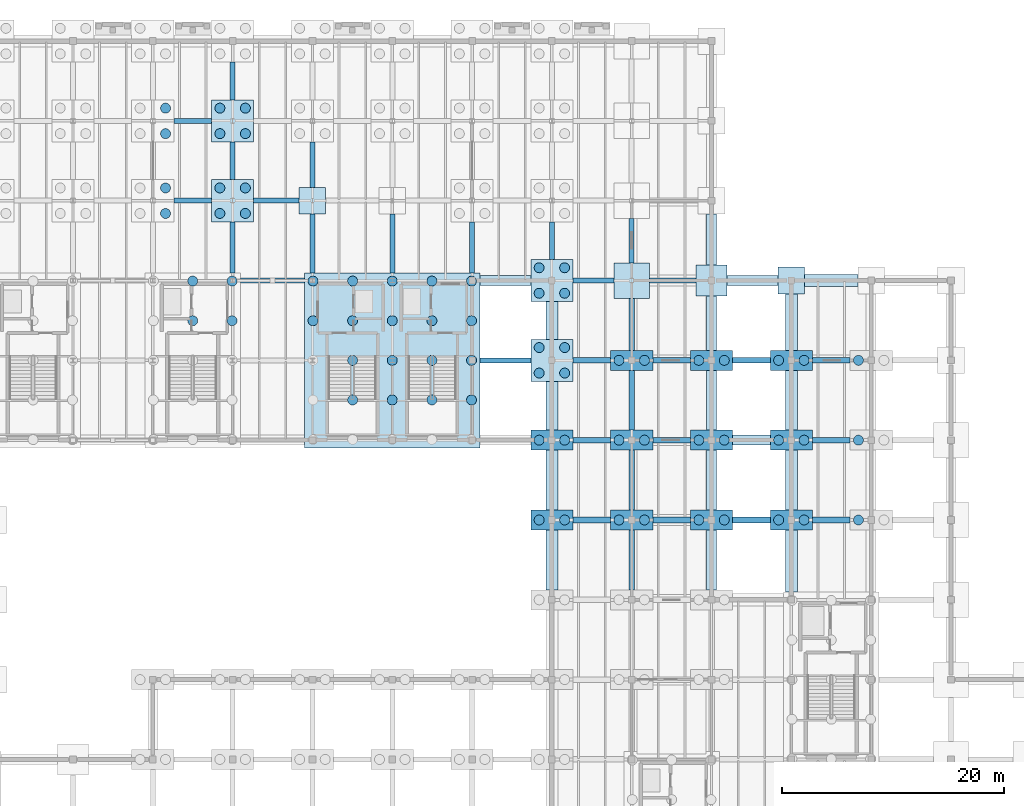
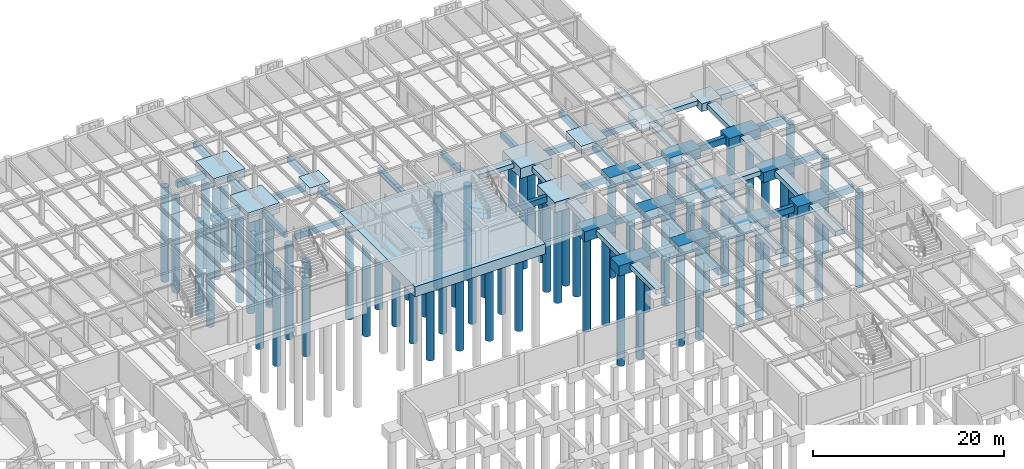
# One storey, part 8 of 46: 68 footings, 67 piles.
"""IFC4 building model written with IfcOpenShell, lengths in metres."""

from ifc_helpers import new_model, si_unit, direction, frame, origin, origin_2d, place, context, subcontext, project, spatial, rectangle, circle, extrude, material, material_profile, profile_set, type_object, element, save


model = new_model("IFC4")

# Units and contexts
model_context = context("Model", 3, precision=1e-05, world=origin(), true_north=direction((0.0, 1.0)))
body_context = subcontext(model_context, "Body", "Model", "MODEL_VIEW")
ifc_project = project(units=[si_unit("LENGTHUNIT", "METRE"), si_unit("AREAUNIT", "SQUARE_METRE"), si_unit("VOLUMEUNIT", "CUBIC_METRE"), si_unit("PLANEANGLEUNIT", "RADIAN"), si_unit("MASSUNIT", "GRAM", prefix="KILO")], contexts=[model_context])

# Site, building, storey
site_placement = place(None, origin())
site = spatial("IfcSite", under=ifc_project, at=site_placement, CompositionType="ELEMENT")
building_placement = place(site_placement, origin())
building = spatial("IfcBuilding", under=site, at=building_placement, Name="Sillqori Civic Hall", CompositionType="ELEMENT")
storey_placement = place(building_placement, frame((0.0, 0.0, -4.199951171875)))
storey = spatial("IfcBuildingStorey", under=building, at=storey_placement, Name="B01", CompositionType="ELEMENT", Elevation=-4.199951171875)

# Footings
ifc_material = material(Name="Concrete C35/45 (H35)", Category="concrete")
footing_type_1 = type_object("IfcFootingType", Name="FB-450X750", PredefinedType="FOOTING_BEAM", material=ifc_material)
for number, where, z_axis, x_axis, name in (
    (1, (68.39990234375, 100.800048828125, -0.969970703125), (0.0, 0.0, 1.0), (1.0, 0.0, 0.0), "Seismic tie beam X 9-14"),
    (2, (68.39990234375, 108.0, -0.969970703125), (0.0, 0.0, 1.0), (1.0, 0.0, 0.0), "Seismic tie beam X 9-15"),
):
    element("IfcFooting", number, at=place(storey_placement, frame(where, z_axis=z_axis, x_axis=x_axis)), inside=storey, type_object=footing_type_1, Name=name, PredefinedType="FOOTING_BEAM", context=body_context, shape_type="SweptSolid", body=[
        extrude(rectangle(XDim=3.39990234375, YDim=0.449951171875, at=origin_2d()), origin(), (0.0, 0.0, 1.0), 0.75),
    ])
footing_1_placement = place(storey_placement, frame((75.60009765625, 93.60009765625, -0.969970703125), z_axis=(0.0, 0.0, 1.0), x_axis=(1.0, 0.0, 0.0)))
element("IfcFooting", 3, at=footing_1_placement, inside=storey, type_object=footing_type_1, Name="Seismic tie beam X 10-13", PredefinedType="FOOTING_BEAM", context=body_context, shape_type="SweptSolid", body=[
    extrude(rectangle(XDim=5.800048828125, YDim=0.449951171875, at=origin_2d()), origin(), (0.0, 0.0, 1.0), 0.75),
])
footing_2_placement = place(storey_placement, frame((72.0, 96.60009765625, -0.969970703125), z_axis=(0.0, 0.0, 1.0), x_axis=(1.0, 0.0, 0.0)))
element("IfcFooting", 4, at=footing_2_placement, inside=storey, type_object=footing_type_1, Name="Seismic tie beam Y 10-13", PredefinedType="FOOTING_BEAM", context=body_context, shape_type="SweptSolid", body=[
    extrude(rectangle(XDim=0.449951171875, YDim=4.60009765625, at=origin_2d()), origin(), (0.0, 0.0, 1.0), 0.75),
])
footing_3_placement = place(storey_placement, frame((75.949951171875, 100.800048828125, -0.969970703125), z_axis=(0.0, 0.0, 1.0), x_axis=(1.0, 0.0, 0.0)))
element("IfcFooting", 5, at=footing_3_placement, inside=storey, type_object=footing_type_1, Name="Seismic tie beam X 10-14", PredefinedType="FOOTING_BEAM", context=body_context, shape_type="SweptSolid", body=[
    extrude(rectangle(XDim=4.10009765625, YDim=0.449951171875, at=origin_2d()), origin(), (0.0, 0.0, 1.0), 0.75),
])
for number, where, z_axis, x_axis, name in (
    (6, (72.0, 104.39990234375, -0.969970703125), (0.0, 0.0, 1.0), (1.0, 0.0, 0.0), "Seismic tie beam Y 10-14"),
    (7, (72.0, 111.60009765625, -0.969970703125), (0.0, 0.0, 1.0), (1.0, 0.0, 0.0), "Seismic tie beam Y 10-15"),
):
    element("IfcFooting", number, at=place(storey_placement, frame(where, z_axis=z_axis, x_axis=x_axis)), inside=storey, type_object=footing_type_1, Name=name, PredefinedType="FOOTING_BEAM", context=body_context, shape_type="SweptSolid", body=[
        extrude(rectangle(XDim=0.449951171875, YDim=3.39990234375, at=origin_2d()), origin(), (0.0, 0.0, 1.0), 0.75),
    ])
footing_4_placement = place(storey_placement, frame((79.199951171875, 96.949951171875, -0.969970703125), z_axis=(0.0, 0.0, 1.0), x_axis=(1.0, 0.0, 0.0)))
element("IfcFooting", 8, at=footing_4_placement, inside=storey, type_object=footing_type_1, Name="Seismic tie beam Y 11-13", PredefinedType="FOOTING_BEAM", context=body_context, shape_type="SweptSolid", body=[
    extrude(rectangle(XDim=0.449951171875, YDim=5.300048828125, at=origin_2d()), origin(), (0.0, 0.0, 1.0), 0.75),
])
footing_5_placement = place(storey_placement, frame((79.199951171875, 104.050048828125, -0.969970703125), z_axis=(0.0, 0.0, 1.0), x_axis=(1.0, 0.0, 0.0)))
element("IfcFooting", 9, at=footing_5_placement, inside=storey, type_object=footing_type_1, Name="Seismic tie beam Y 11-14", PredefinedType="FOOTING_BEAM", context=body_context, shape_type="SweptSolid", body=[
    extrude(rectangle(XDim=0.449951171875, YDim=4.10009765625, at=origin_2d()), origin(), (0.0, 0.0, 1.0), 0.75),
])
footing_6_placement = place(storey_placement, frame((86.39990234375, 96.949951171875, -0.969970703125), z_axis=(0.0, 0.0, 1.0), x_axis=(1.0, 0.0, 0.0)))
element("IfcFooting", 10, at=footing_6_placement, inside=storey, type_object=footing_type_1, Name="Seismic tie beam Y 12-13", PredefinedType="FOOTING_BEAM", context=body_context, shape_type="SweptSolid", body=[
    extrude(rectangle(XDim=0.449951171875, YDim=5.300048828125, at=origin_2d()), origin(), (0.0, 0.0, 1.0), 0.75),
])
footing_7_placement = place(storey_placement, frame((96.60009765625, 86.39990234375, -0.969970703125), z_axis=(0.0, 0.0, 1.0), x_axis=(1.0, 0.0, 0.0)))
element("IfcFooting", 11, at=footing_7_placement, inside=storey, type_object=footing_type_1, Name="Seismic tie beam X 13-12", PredefinedType="FOOTING_BEAM", context=body_context, shape_type="SweptSolid", body=[
    extrude(rectangle(XDim=4.60009765625, YDim=0.449951171875, at=origin_2d()), origin(), (0.0, 0.0, 1.0), 0.75),
])
footing_8_placement = place(storey_placement, frame((93.60009765625, 96.60009765625, -0.969970703125), z_axis=(0.0, 0.0, 1.0), x_axis=(1.0, 0.0, 0.0)))
element("IfcFooting", 12, at=footing_8_placement, inside=storey, type_object=footing_type_1, Name="Seismic tie beam Y 13-13", PredefinedType="FOOTING_BEAM", context=body_context, shape_type="SweptSolid", body=[
    extrude(rectangle(XDim=0.449951171875, YDim=4.60009765625, at=origin_2d()), origin(), (0.0, 0.0, 1.0), 0.75),
])
footing_9_placement = place(storey_placement, frame((104.550048828125, 93.60009765625, -0.969970703125), z_axis=(0.0, 0.0, 1.0), x_axis=(1.0, 0.0, 0.0)))
element("IfcFooting", 13, at=footing_9_placement, inside=storey, type_object=footing_type_1, Name="Seismic tie beam X 14-13", PredefinedType="FOOTING_BEAM", context=body_context, shape_type="SweptSolid", body=[
    extrude(rectangle(XDim=3.699951171875, YDim=0.449951171875, at=origin_2d()), origin(), (0.0, 0.0, 1.0), 0.75),
])
footing_10_placement = place(storey_placement, frame((100.800048828125, 97.199951171875, -0.969970703125), z_axis=(0.0, 0.0, 1.0), x_axis=(1.0, 0.0, 0.0)))
element("IfcFooting", 14, at=footing_10_placement, inside=storey, type_object=footing_type_1, Name="Seismic tie beam Y 14-13", PredefinedType="FOOTING_BEAM", context=body_context, shape_type="SweptSolid", body=[
    extrude(rectangle(XDim=0.449951171875, YDim=3.39990234375, at=origin_2d()), origin(), (0.0, 0.0, 1.0), 0.75),
])
footing_11_placement = place(storey_placement, frame((111.699951171875, 93.60009765625, -0.969970703125), z_axis=(0.0, 0.0, 1.0), x_axis=(1.0, 0.0, 0.0)))
element("IfcFooting", 15, at=footing_11_placement, inside=storey, type_object=footing_type_1, Name="Seismic tie beam X 15-13", PredefinedType="FOOTING_BEAM", context=body_context, shape_type="SweptSolid", body=[
    extrude(rectangle(XDim=4.199951171875, YDim=0.449951171875, at=origin_2d()), origin(), (0.0, 0.0, 1.0), 0.75),
])
footing_12_placement = place(storey_placement, frame((108.0, 97.199951171875, -0.969970703125), z_axis=(0.0, 0.0, 1.0), x_axis=(1.0, 0.0, 0.0)))
element("IfcFooting", 16, at=footing_12_placement, inside=storey, type_object=footing_type_1, Name="Seismic tie beam Y 15-13", PredefinedType="FOOTING_BEAM", context=body_context, shape_type="SweptSolid", body=[
    extrude(rectangle(XDim=0.449951171875, YDim=4.0, at=origin_2d()), origin(), (0.0, 0.0, 1.0), 0.75),
])
footing_type_2 = type_object("IfcFootingType", Name="FB-500X800", PredefinedType="FOOTING_BEAM", material=ifc_material)
for number, where, z_axis, x_axis, name in (
    (17, (104.39990234375, 72.0, -1.02001953125), (0.0, 0.0, 1.0), (1.0, 0.0, 0.0), "Seismic tie beam X 14-10"),
    (18, (104.39990234375, 79.199951171875, -1.02001953125), (0.0, 0.0, 1.0), (1.0, 0.0, 0.0), "Seismic tie beam X 14-11"),
    (19, (104.39990234375, 86.39990234375, -1.02001953125), (0.0, 0.0, 1.0), (1.0, 0.0, 0.0), "Seismic tie beam X 14-12"),
):
    element("IfcFooting", number, at=place(storey_placement, frame(where, z_axis=z_axis, x_axis=x_axis)), inside=storey, type_object=footing_type_2, Name=name, PredefinedType="FOOTING_BEAM", context=body_context, shape_type="SweptSolid", body=[
        extrude(rectangle(XDim=3.39990234375, YDim=0.5, at=origin_2d()), origin(), (0.0, 0.0, 1.0), 0.800048828125),
    ])
footing_13_placement = place(storey_placement, frame((108.0, 68.39990234375, -1.02001953125), z_axis=(0.0, 0.0, 1.0), x_axis=(1.0, 0.0, 0.0)))
element("IfcFooting", 20, at=footing_13_placement, inside=storey, type_object=footing_type_2, Name="Seismic tie beam Y 15-9", PredefinedType="FOOTING_BEAM", context=body_context, shape_type="SweptSolid", body=[
    extrude(rectangle(XDim=0.5, YDim=5.39990234375, at=origin_2d()), origin(), (0.0, 0.0, 1.0), 0.800048828125),
])
footing_14_placement = place(storey_placement, frame((111.60009765625, 72.0, -1.02001953125), z_axis=(0.0, 0.0, 1.0), x_axis=(1.0, 0.0, 0.0)))
element("IfcFooting", 21, at=footing_14_placement, inside=storey, type_object=footing_type_2, Name="Seismic tie beam X 15-10", PredefinedType="FOOTING_BEAM", context=body_context, shape_type="SweptSolid", body=[
    extrude(rectangle(XDim=3.39990234375, YDim=0.5, at=origin_2d()), origin(), (0.0, 0.0, 1.0), 0.800048828125),
])
footing_15_placement = place(storey_placement, frame((108.0, 75.60009765625, -1.02001953125), z_axis=(0.0, 0.0, 1.0), x_axis=(1.0, 0.0, 0.0)))
element("IfcFooting", 22, at=footing_15_placement, inside=storey, type_object=footing_type_2, Name="Seismic tie beam Y 15-10", PredefinedType="FOOTING_BEAM", context=body_context, shape_type="SweptSolid", body=[
    extrude(rectangle(XDim=0.5, YDim=5.39990234375, at=origin_2d()), origin(), (0.0, 0.0, 1.0), 0.800048828125),
])
footing_16_placement = place(storey_placement, frame((111.60009765625, 79.199951171875, -1.02001953125), z_axis=(0.0, 0.0, 1.0), x_axis=(1.0, 0.0, 0.0)))
element("IfcFooting", 23, at=footing_16_placement, inside=storey, type_object=footing_type_2, Name="Seismic tie beam X 15-11", PredefinedType="FOOTING_BEAM", context=body_context, shape_type="SweptSolid", body=[
    extrude(rectangle(XDim=3.39990234375, YDim=0.5, at=origin_2d()), origin(), (0.0, 0.0, 1.0), 0.800048828125),
])
footing_17_placement = place(storey_placement, frame((108.0, 82.800048828125, -1.02001953125), z_axis=(0.0, 0.0, 1.0), x_axis=(1.0, 0.0, 0.0)))
element("IfcFooting", 24, at=footing_17_placement, inside=storey, type_object=footing_type_2, Name="Seismic tie beam Y 15-11", PredefinedType="FOOTING_BEAM", context=body_context, shape_type="SweptSolid", body=[
    extrude(rectangle(XDim=0.5, YDim=5.39990234375, at=origin_2d()), origin(), (0.0, 0.0, 1.0), 0.800048828125),
])
footing_18_placement = place(storey_placement, frame((111.60009765625, 86.39990234375, -1.02001953125), z_axis=(0.0, 0.0, 1.0), x_axis=(1.0, 0.0, 0.0)))
element("IfcFooting", 25, at=footing_18_placement, inside=storey, type_object=footing_type_2, Name="Seismic tie beam X 15-12", PredefinedType="FOOTING_BEAM", context=body_context, shape_type="SweptSolid", body=[
    extrude(rectangle(XDim=3.39990234375, YDim=0.5, at=origin_2d()), origin(), (0.0, 0.0, 1.0), 0.800048828125),
])
footing_19_placement = place(storey_placement, frame((108.0, 89.64990234375, -1.02001953125), z_axis=(0.0, 0.0, 1.0), x_axis=(1.0, 0.0, 0.0)))
element("IfcFooting", 26, at=footing_19_placement, inside=storey, type_object=footing_type_2, Name="Seismic tie beam Y 15-12", PredefinedType="FOOTING_BEAM", context=body_context, shape_type="SweptSolid", body=[
    extrude(rectangle(XDim=0.5, YDim=4.699951171875, at=origin_2d()), origin(), (0.0, 0.0, 1.0), 0.800048828125),
])
for number, where, z_axis, x_axis, name in (
    (27, (118.800048828125, 72.0, -1.02001953125), (0.0, 0.0, 1.0), (1.0, 0.0, 0.0), "Seismic tie beam X 16-10"),
    (28, (118.800048828125, 86.39990234375, -1.02001953125), (0.0, 0.0, 1.0), (1.0, 0.0, 0.0), "Seismic tie beam X 16-12"),
    (29, (126.0, 72.0, -1.02001953125), (0.0, 0.0, 1.0), (1.0, 0.0, 0.0), "Seismic tie beam X 17-10"),
    (30, (126.0, 79.199951171875, -1.02001953125), (0.0, 0.0, 1.0), (1.0, 0.0, 0.0), "Seismic tie beam X 17-11"),
    (31, (126.0, 86.39990234375, -1.02001953125), (0.0, 0.0, 1.0), (1.0, 0.0, 0.0), "Seismic tie beam X 17-12"),
):
    element("IfcFooting", number, at=place(storey_placement, frame(where, z_axis=z_axis, x_axis=x_axis)), inside=storey, type_object=footing_type_2, Name=name, PredefinedType="FOOTING_BEAM", context=body_context, shape_type="SweptSolid", body=[
        extrude(rectangle(XDim=3.39990234375, YDim=0.5, at=origin_2d()), origin(), (0.0, 0.0, 1.0), 0.800048828125),
    ])
footing_type_3 = type_object("IfcFootingType", Name="PC-2P", PredefinedType="PILE_CAP", material=ifc_material)
for number, where, z_axis, x_axis, name in (
    (32, (100.800048828125, 72.0, -1.30029296875), (0.0, 0.0, 1.0), (1.0, 0.0, 0.0), "Pile cap 14-10"),
    (33, (100.800048828125, 79.199951171875, -1.30029296875), (0.0, 0.0, 1.0), (1.0, 0.0, 0.0), "Pile cap 14-11"),
    (34, (108.0, 72.0, -1.30029296875), (0.0, 0.0, 1.0), (1.0, 0.0, 0.0), "Pile cap 15-10"),
    (35, (108.0, 79.199951171875, -1.30029296875), (0.0, 0.0, 1.0), (1.0, 0.0, 0.0), "Pile cap 15-11"),
    (36, (108.0, 86.39990234375, -1.30029296875), (0.0, 0.0, 1.0), (1.0, 0.0, 0.0), "Pile cap 15-12"),
    (37, (115.199951171875, 72.0, -1.30029296875), (0.0, 0.0, 1.0), (1.0, 0.0, 0.0), "Pile cap 16-10"),
    (38, (115.199951171875, 79.199951171875, -1.30029296875), (0.0, 0.0, 1.0), (1.0, 0.0, 0.0), "Pile cap 16-11"),
    (39, (115.199951171875, 86.39990234375, -1.30029296875), (0.0, 0.0, 1.0), (1.0, 0.0, 0.0), "Pile cap 16-12"),
    (40, (122.39990234375, 72.0, -1.30029296875), (0.0, 0.0, 1.0), (1.0, 0.0, 0.0), "Pile cap 17-10"),
    (41, (122.39990234375, 79.199951171875, -1.30029296875), (0.0, 0.0, 1.0), (1.0, 0.0, 0.0), "Pile cap 17-11"),
    (42, (122.39990234375, 86.39990234375, -1.30029296875), (0.0, 0.0, 1.0), (1.0, 0.0, 0.0), "Pile cap 17-12"),
):
    element("IfcFooting", number, at=place(storey_placement, frame(where, z_axis=z_axis, x_axis=x_axis)), inside=storey, type_object=footing_type_3, Name=name, PredefinedType="PILE_CAP", context=body_context, shape_type="SweptSolid", body=[
        extrude(rectangle(XDim=3.800048828125, YDim=1.800048828125, at=origin_2d()), origin(), (0.0, 0.0, 1.0), 1.300048828125),
    ])
footing_type_4 = type_object("IfcFootingType", Name="PC-4P", PredefinedType="PILE_CAP", material=ifc_material)
for number, where, z_axis, x_axis, name in (
    (43, (72.0, 100.800048828125, -1.30029296875), (0.0, 0.0, 1.0), (1.0, 0.0, 0.0), "Pile cap 10-14"),
    (44, (72.0, 108.0, -1.30029296875), (0.0, 0.0, 1.0), (1.0, 0.0, 0.0), "Pile cap 10-15"),
    (45, (100.800048828125, 86.39990234375, -1.30029296875), (0.0, 0.0, 1.0), (1.0, 0.0, 0.0), "Pile cap 14-12"),
    (46, (100.800048828125, 93.60009765625, -1.30029296875), (0.0, 0.0, 1.0), (1.0, 0.0, 0.0), "Pile cap 14-13"),
):
    element("IfcFooting", number, at=place(storey_placement, frame(where, z_axis=z_axis, x_axis=x_axis)), inside=storey, type_object=footing_type_4, Name=name, PredefinedType="PILE_CAP", context=body_context, shape_type="SweptSolid", body=[
        extrude(rectangle(XDim=3.800048828125, YDim=3.800048828125, at=origin_2d()), origin(), (0.0, 0.0, 1.0), 1.300048828125),
    ])
footing_type_5 = type_object("IfcFootingType", Name="PC-TWIN", PredefinedType="PILE_CAP", material=ifc_material)
footing_20_placement = place(storey_placement, frame((86.39990234375, 86.39990234375, -1.30029296875), z_axis=(0.0, 0.0, 1.0), x_axis=(1.0, 0.0, 0.0)))
element("IfcFooting", 47, at=footing_20_placement, inside=storey, type_object=footing_type_5, Name="Combined twin-core mat pile cap C7-C8", PredefinedType="PILE_CAP", context=body_context, shape_type="SweptSolid", body=[
    extrude(rectangle(XDim=15.800048828125, YDim=15.800048828125, at=origin_2d()), origin(), (0.0, 0.0, 1.0), 1.300048828125),
])
footing_type_6 = type_object("IfcFootingType", Name="PF-2400", PredefinedType="PAD_FOOTING", material=ifc_material)
for number, where, z_axis, x_axis, name in (
    (48, (79.199951171875, 100.800048828125, -1.0), (0.0, 0.0, 1.0), (1.0, 0.0, 0.0), "Spread footing 11-14"),
    (49, (122.39990234375, 93.60009765625, -1.0), (0.0, 0.0, 1.0), (1.0, 0.0, 0.0), "Spread footing 17-13"),
):
    element("IfcFooting", number, at=place(storey_placement, frame(where, z_axis=z_axis, x_axis=x_axis)), inside=storey, type_object=footing_type_6, Name=name, PredefinedType="PAD_FOOTING", context=body_context, shape_type="SweptSolid", body=[
        extrude(rectangle(XDim=2.39990234375, YDim=2.39990234375, at=origin_2d()), origin(), (0.0, 0.0, 1.0), 1.0),
    ])
footing_type_7 = type_object("IfcFootingType", Name="PF-2800", PredefinedType="PAD_FOOTING", material=ifc_material)
footing_21_placement = place(storey_placement, frame((115.199951171875, 93.60009765625, -1.0), z_axis=(0.0, 0.0, 1.0), x_axis=(1.0, 0.0, 0.0)))
element("IfcFooting", 50, at=footing_21_placement, inside=storey, type_object=footing_type_7, Name="Spread footing 16-13", PredefinedType="PAD_FOOTING", context=body_context, shape_type="SweptSolid", body=[
    extrude(rectangle(XDim=2.800048828125, YDim=2.800048828125, at=origin_2d()), origin(), (0.0, 0.0, 1.0), 1.0),
])
footing_type_8 = type_object("IfcFootingType", Name="PF-3200", PredefinedType="PAD_FOOTING", material=ifc_material)
footing_22_placement = place(storey_placement, frame((108.0, 93.60009765625, -1.0), z_axis=(0.0, 0.0, 1.0), x_axis=(1.0, 0.0, 0.0)))
element("IfcFooting", 51, at=footing_22_placement, inside=storey, type_object=footing_type_8, Name="Spread footing 15-13", PredefinedType="PAD_FOOTING", context=body_context, shape_type="SweptSolid", body=[
    extrude(rectangle(XDim=3.199951171875, YDim=3.199951171875, at=origin_2d()), origin(), (0.0, 0.0, 1.0), 1.0),
])

# Piles
ifc_material_profile = material_profile(ifc_material, circle(Radius=0.449951171875, at=origin_2d()), Name="BORED PILE 900")
ifc_profile_set = profile_set([ifc_material_profile], Name="Concrete C35/45 (H35)")
pile_type = type_object("IfcPileType", Name="PILE-BORED-900", PredefinedType="BORED", material=ifc_profile_set)
for number, where, z_axis, x_axis, name in (
    (52, (68.39990234375, 89.97509765625, -1.199951171875), (0.0, 0.0, -1.0), (1.0, 0.0, 0.0), "Bored pile FTG-CAP-C6-09"),
    (53, (68.39990234375, 93.550048828125, -1.199951171875), (0.0, 0.0, -1.0), (1.0, 0.0, 0.0), "Bored pile FTG-CAP-C6-10"),
    (54, (71.949951171875, 89.97509765625, -1.199951171875), (0.0, 0.0, -1.0), (1.0, 0.0, 0.0), "Bored pile FTG-CAP-C6-14"),
    (55, (71.949951171875, 93.550048828125, -1.199951171875), (0.0, 0.0, -1.0), (1.0, 0.0, 0.0), "Bored pile FTG-CAP-C6-15"),
    (56, (79.25, 89.97509765625, -1.199951171875), (0.0, 0.0, -1.0), (1.0, 0.0, 0.0), "Bored pile FTG-CAP-C7C8-04"),
    (57, (79.25, 93.550048828125, -1.199951171875), (0.0, 0.0, -1.0), (1.0, 0.0, 0.0), "Bored pile FTG-CAP-C7C8-05"),
    (58, (82.824951171875, 82.824951171875, -1.199951171875), (0.0, 0.0, -1.0), (1.0, 0.0, 0.0), "Bored pile FTG-CAP-C7C8-07"),
    (59, (82.824951171875, 86.39990234375, -1.199951171875), (0.0, 0.0, -1.0), (1.0, 0.0, 0.0), "Bored pile FTG-CAP-C7C8-08"),
    (60, (82.824951171875, 89.97509765625, -1.199951171875), (0.0, 0.0, -1.0), (1.0, 0.0, 0.0), "Bored pile FTG-CAP-C7C8-09"),
    (61, (82.824951171875, 93.550048828125, -1.199951171875), (0.0, 0.0, -1.0), (1.0, 0.0, 0.0), "Bored pile FTG-CAP-C7C8-10"),
    (62, (86.39990234375, 82.824951171875, -1.199951171875), (0.0, 0.0, -1.0), (1.0, 0.0, 0.0), "Bored pile FTG-CAP-C7C8-12"),
    (63, (86.39990234375, 86.39990234375, -1.199951171875), (0.0, 0.0, -1.0), (1.0, 0.0, 0.0), "Bored pile FTG-CAP-C7C8-13"),
    (64, (86.39990234375, 89.97509765625, -1.199951171875), (0.0, 0.0, -1.0), (1.0, 0.0, 0.0), "Bored pile FTG-CAP-C7C8-14"),
    (65, (86.39990234375, 93.550048828125, -1.199951171875), (0.0, 0.0, -1.0), (1.0, 0.0, 0.0), "Bored pile FTG-CAP-C7C8-15"),
    (66, (89.97509765625, 82.824951171875, -1.199951171875), (0.0, 0.0, -1.0), (1.0, 0.0, 0.0), "Bored pile FTG-CAP-C7C8-17"),
    (67, (89.97509765625, 86.39990234375, -1.199951171875), (0.0, 0.0, -1.0), (1.0, 0.0, 0.0), "Bored pile FTG-CAP-C7C8-18"),
    (68, (89.97509765625, 89.97509765625, -1.199951171875), (0.0, 0.0, -1.0), (1.0, 0.0, 0.0), "Bored pile FTG-CAP-C7C8-19"),
    (69, (89.97509765625, 93.550048828125, -1.199951171875), (0.0, 0.0, -1.0), (1.0, 0.0, 0.0), "Bored pile FTG-CAP-C7C8-20"),
    (70, (93.550048828125, 82.824951171875, -1.199951171875), (0.0, 0.0, -1.0), (1.0, 0.0, 0.0), "Bored pile FTG-CAP-C7C8-22"),
    (71, (93.550048828125, 86.39990234375, -1.199951171875), (0.0, 0.0, -1.0), (1.0, 0.0, 0.0), "Bored pile FTG-CAP-C7C8-23"),
    (72, (93.550048828125, 89.97509765625, -1.199951171875), (0.0, 0.0, -1.0), (1.0, 0.0, 0.0), "Bored pile FTG-CAP-C7C8-24"),
    (73, (93.550048828125, 93.550048828125, -1.199951171875), (0.0, 0.0, -1.0), (1.0, 0.0, 0.0), "Bored pile FTG-CAP-C7C8-25"),
    (74, (65.949951171875, 99.64990234375, -1.199951171875), (0.0, 0.0, -1.0), (1.0, 0.0, 0.0), "Bored pile FTG-PC-09-14-03"),
    (75, (65.949951171875, 101.949951171875, -1.199951171875), (0.0, 0.0, -1.0), (1.0, 0.0, 0.0), "Bored pile FTG-PC-09-14-04"),
    (76, (65.949951171875, 106.85009765625, -1.199951171875), (0.0, 0.0, -1.0), (1.0, 0.0, 0.0), "Bored pile FTG-PC-09-15-03"),
    (77, (65.949951171875, 109.14990234375, -1.199951171875), (0.0, 0.0, -1.0), (1.0, 0.0, 0.0), "Bored pile FTG-PC-09-15-04"),
    (78, (70.85009765625, 99.64990234375, -1.199951171875), (0.0, 0.0, -1.0), (1.0, 0.0, 0.0), "Bored pile FTG-PC-10-14-01"),
    (79, (70.85009765625, 101.949951171875, -1.199951171875), (0.0, 0.0, -1.0), (1.0, 0.0, 0.0), "Bored pile FTG-PC-10-14-02"),
    (80, (73.14990234375, 99.64990234375, -1.199951171875), (0.0, 0.0, -1.0), (1.0, 0.0, 0.0), "Bored pile FTG-PC-10-14-03"),
    (81, (73.14990234375, 101.949951171875, -1.199951171875), (0.0, 0.0, -1.0), (1.0, 0.0, 0.0), "Bored pile FTG-PC-10-14-04"),
    (82, (70.85009765625, 106.85009765625, -1.199951171875), (0.0, 0.0, -1.0), (1.0, 0.0, 0.0), "Bored pile FTG-PC-10-15-01"),
    (83, (70.85009765625, 109.14990234375, -1.199951171875), (0.0, 0.0, -1.0), (1.0, 0.0, 0.0), "Bored pile FTG-PC-10-15-02"),
    (84, (73.14990234375, 106.85009765625, -1.199951171875), (0.0, 0.0, -1.0), (1.0, 0.0, 0.0), "Bored pile FTG-PC-10-15-03"),
    (85, (73.14990234375, 109.14990234375, -1.199951171875), (0.0, 0.0, -1.0), (1.0, 0.0, 0.0), "Bored pile FTG-PC-10-15-04"),
    (86, (99.64990234375, 72.0, -1.199951171875), (0.0, 0.0, -1.0), (1.0, 0.0, 0.0), "Bored pile FTG-PC-14-10-01"),
    (87, (101.949951171875, 72.0, -1.199951171875), (0.0, 0.0, -1.0), (1.0, 0.0, 0.0), "Bored pile FTG-PC-14-10-02"),
    (88, (99.64990234375, 79.199951171875, -1.199951171875), (0.0, 0.0, -1.0), (1.0, 0.0, 0.0), "Bored pile FTG-PC-14-11-01"),
    (89, (101.949951171875, 79.199951171875, -1.199951171875), (0.0, 0.0, -1.0), (1.0, 0.0, 0.0), "Bored pile FTG-PC-14-11-02"),
    (90, (99.64990234375, 85.25, -1.199951171875), (0.0, 0.0, -1.0), (1.0, 0.0, 0.0), "Bored pile FTG-PC-14-12-01"),
    (91, (99.64990234375, 87.550048828125, -1.199951171875), (0.0, 0.0, -1.0), (1.0, 0.0, 0.0), "Bored pile FTG-PC-14-12-02"),
    (92, (101.949951171875, 85.25, -1.199951171875), (0.0, 0.0, -1.0), (1.0, 0.0, 0.0), "Bored pile FTG-PC-14-12-03"),
    (93, (101.949951171875, 87.550048828125, -1.199951171875), (0.0, 0.0, -1.0), (1.0, 0.0, 0.0), "Bored pile FTG-PC-14-12-04"),
    (94, (99.64990234375, 92.449951171875, -1.199951171875), (0.0, 0.0, -1.0), (1.0, 0.0, 0.0), "Bored pile FTG-PC-14-13-01"),
    (95, (99.64990234375, 94.75, -1.199951171875), (0.0, 0.0, -1.0), (1.0, 0.0, 0.0), "Bored pile FTG-PC-14-13-02"),
    (96, (101.949951171875, 92.449951171875, -1.199951171875), (0.0, 0.0, -1.0), (1.0, 0.0, 0.0), "Bored pile FTG-PC-14-13-03"),
    (97, (101.949951171875, 94.75, -1.199951171875), (0.0, 0.0, -1.0), (1.0, 0.0, 0.0), "Bored pile FTG-PC-14-13-04"),
    (98, (106.85009765625, 72.0, -1.199951171875), (0.0, 0.0, -1.0), (1.0, 0.0, 0.0), "Bored pile FTG-PC-15-10-01"),
    (99, (109.14990234375, 72.0, -1.199951171875), (0.0, 0.0, -1.0), (1.0, 0.0, 0.0), "Bored pile FTG-PC-15-10-02"),
    (100, (106.85009765625, 79.199951171875, -1.199951171875), (0.0, 0.0, -1.0), (1.0, 0.0, 0.0), "Bored pile FTG-PC-15-11-01"),
    (101, (109.14990234375, 79.199951171875, -1.199951171875), (0.0, 0.0, -1.0), (1.0, 0.0, 0.0), "Bored pile FTG-PC-15-11-02"),
    (102, (106.85009765625, 86.39990234375, -1.199951171875), (0.0, 0.0, -1.0), (1.0, 0.0, 0.0), "Bored pile FTG-PC-15-12-01"),
    (103, (109.14990234375, 86.39990234375, -1.199951171875), (0.0, 0.0, -1.0), (1.0, 0.0, 0.0), "Bored pile FTG-PC-15-12-02"),
    (104, (114.050048828125, 72.0, -1.199951171875), (0.0, 0.0, -1.0), (1.0, 0.0, 0.0), "Bored pile FTG-PC-16-10-01"),
    (105, (116.35009765625, 72.0, -1.199951171875), (0.0, 0.0, -1.0), (1.0, 0.0, 0.0), "Bored pile FTG-PC-16-10-02"),
    (106, (114.050048828125, 79.199951171875, -1.199951171875), (0.0, 0.0, -1.0), (1.0, 0.0, 0.0), "Bored pile FTG-PC-16-11-01"),
    (107, (116.35009765625, 79.199951171875, -1.199951171875), (0.0, 0.0, -1.0), (1.0, 0.0, 0.0), "Bored pile FTG-PC-16-11-02"),
    (108, (114.050048828125, 86.39990234375, -1.199951171875), (0.0, 0.0, -1.0), (1.0, 0.0, 0.0), "Bored pile FTG-PC-16-12-01"),
    (109, (116.35009765625, 86.39990234375, -1.199951171875), (0.0, 0.0, -1.0), (1.0, 0.0, 0.0), "Bored pile FTG-PC-16-12-02"),
    (110, (121.25, 72.0, -1.199951171875), (0.0, 0.0, -1.0), (1.0, 0.0, 0.0), "Bored pile FTG-PC-17-10-01"),
    (111, (123.550048828125, 72.0, -1.199951171875), (0.0, 0.0, -1.0), (1.0, 0.0, 0.0), "Bored pile FTG-PC-17-10-02"),
    (112, (121.25, 79.199951171875, -1.199951171875), (0.0, 0.0, -1.0), (1.0, 0.0, 0.0), "Bored pile FTG-PC-17-11-01"),
    (113, (123.550048828125, 79.199951171875, -1.199951171875), (0.0, 0.0, -1.0), (1.0, 0.0, 0.0), "Bored pile FTG-PC-17-11-02"),
    (114, (121.25, 86.39990234375, -1.199951171875), (0.0, 0.0, -1.0), (1.0, 0.0, 0.0), "Bored pile FTG-PC-17-12-01"),
    (115, (123.550048828125, 86.39990234375, -1.199951171875), (0.0, 0.0, -1.0), (1.0, 0.0, 0.0), "Bored pile FTG-PC-17-12-02"),
    (116, (128.449951171875, 72.0, -1.199951171875), (0.0, 0.0, -1.0), (1.0, 0.0, 0.0), "Bored pile FTG-PC-18-10-01"),
    (117, (128.449951171875, 79.199951171875, -1.199951171875), (0.0, 0.0, -1.0), (1.0, 0.0, 0.0), "Bored pile FTG-PC-18-11-01"),
    (118, (128.449951171875, 86.39990234375, -1.199951171875), (0.0, 0.0, -1.0), (1.0, 0.0, 0.0), "Bored pile FTG-PC-18-12-01"),
):
    element("IfcPile", number, at=place(storey_placement, frame(where, z_axis=z_axis, x_axis=x_axis)), inside=storey, type_object=pile_type, Name=name, PredefinedType="BORED", context=body_context, shape_type="SweptSolid", body=[
        extrude(circle(Radius=0.449951171875, at=origin_2d()), origin(), (0.0, 0.0, 1.0), 12.10009765625),
    ])

# Footings
footing_type_9 = type_object("IfcFootingType", Name="SF-1100X650", PredefinedType="STRIP_FOOTING", material=ifc_material)
for number, where, z_axis, x_axis, name in (
    (119, (100.800048828125, 68.39990234375, -0.8701171875), (0.0, 0.0, 1.0), (1.0, 0.0, 0.0), "Perimeter strip footing W 14-9"),
    (120, (100.800048828125, 75.60009765625, -0.8701171875), (0.0, 0.0, 1.0), (1.0, 0.0, 0.0), "Perimeter strip footing W 14-10"),
):
    element("IfcFooting", number, at=place(storey_placement, frame(where, z_axis=z_axis, x_axis=x_axis)), inside=storey, type_object=footing_type_9, Name=name, PredefinedType="STRIP_FOOTING", context=body_context, shape_type="SweptSolid", body=[
        extrude(rectangle(XDim=1.10009765625, YDim=5.39990234375, at=origin_2d()), origin(), (0.0, 0.0, 1.0), 0.64990234375),
    ])
footing_23_placement = place(storey_placement, frame((100.800048828125, 82.300048828125, -0.8701171875), z_axis=(0.0, 0.0, 1.0), x_axis=(1.0, 0.0, 0.0)))
element("IfcFooting", 121, at=footing_23_placement, inside=storey, type_object=footing_type_9, Name="Perimeter strip footing W 14-11", PredefinedType="STRIP_FOOTING", context=body_context, shape_type="SweptSolid", body=[
    extrude(rectangle(XDim=1.10009765625, YDim=4.39990234375, at=origin_2d()), origin(), (0.0, 0.0, 1.0), 0.64990234375),
])
footing_24_placement = place(storey_placement, frame((100.800048828125, 90.0, -0.8701171875), z_axis=(0.0, 0.0, 1.0), x_axis=(1.0, 0.0, 0.0)))
element("IfcFooting", 122, at=footing_24_placement, inside=storey, type_object=footing_type_9, Name="Perimeter strip footing W 14-12", PredefinedType="STRIP_FOOTING", context=body_context, shape_type="SweptSolid", body=[
    extrude(rectangle(XDim=1.10009765625, YDim=3.39990234375, at=origin_2d()), origin(), (0.0, 0.0, 1.0), 0.64990234375),
])
footing_25_placement = place(storey_placement, frame((122.39990234375, 68.300048828125, -0.8701171875), z_axis=(0.0, 0.0, 1.0), x_axis=(1.0, 0.0, 0.0)))
element("IfcFooting", 123, at=footing_25_placement, inside=storey, type_object=footing_type_9, Name="Perimeter strip footing W 17-9", PredefinedType="STRIP_FOOTING", context=body_context, shape_type="SweptSolid", body=[
    extrude(rectangle(XDim=1.10009765625, YDim=5.60009765625, at=origin_2d()), origin(), (0.0, 0.0, 1.0), 0.64990234375),
])
for number, where, z_axis, x_axis, name in (
    (124, (122.39990234375, 75.60009765625, -0.8701171875), (0.0, 0.0, 1.0), (1.0, 0.0, 0.0), "Perimeter strip footing W 17-10"),
    (125, (122.39990234375, 82.800048828125, -0.8701171875), (0.0, 0.0, 1.0), (1.0, 0.0, 0.0), "Perimeter strip footing W 17-11"),
):
    element("IfcFooting", number, at=place(storey_placement, frame(where, z_axis=z_axis, x_axis=x_axis)), inside=storey, type_object=footing_type_9, Name=name, PredefinedType="STRIP_FOOTING", context=body_context, shape_type="SweptSolid", body=[
        extrude(rectangle(XDim=1.10009765625, YDim=5.39990234375, at=origin_2d()), origin(), (0.0, 0.0, 1.0), 0.64990234375),
    ])
footing_26_placement = place(storey_placement, frame((126.0, 93.60009765625, -0.8701171875), z_axis=(0.0, 0.0, 1.0), x_axis=(1.0, 0.0, 0.0)))
element("IfcFooting", 126, at=footing_26_placement, inside=storey, type_object=footing_type_9, Name="Perimeter strip footing N 17-12", PredefinedType="STRIP_FOOTING", context=body_context, shape_type="SweptSolid", body=[
    extrude(rectangle(XDim=4.800048828125, YDim=1.10009765625, at=origin_2d()), origin(), (0.0, 0.0, 1.0), 0.64990234375),
])
footing_27_placement = place(storey_placement, frame((122.39990234375, 89.85009765625, -0.8701171875), z_axis=(0.0, 0.0, 1.0), x_axis=(1.0, 0.0, 0.0)))
element("IfcFooting", 127, at=footing_27_placement, inside=storey, type_object=footing_type_9, Name="Perimeter strip footing W 17-12", PredefinedType="STRIP_FOOTING", context=body_context, shape_type="SweptSolid", body=[
    extrude(rectangle(XDim=1.10009765625, YDim=5.10009765625, at=origin_2d()), origin(), (0.0, 0.0, 1.0), 0.64990234375),
])
footing_type_10 = type_object("IfcFootingType", Name="SF-900X600", PredefinedType="STRIP_FOOTING", material=ifc_material)
footing_28_placement = place(storey_placement, frame((96.60009765625, 93.60009765625, -0.820068359375), z_axis=(0.0, 0.0, 1.0), x_axis=(1.0, 0.0, 0.0)))
element("IfcFooting", 128, at=footing_28_placement, inside=storey, type_object=footing_type_10, Name="Perimeter strip footing S 13-13", PredefinedType="STRIP_FOOTING", context=body_context, shape_type="SweptSolid", body=[
    extrude(rectangle(XDim=4.60009765625, YDim=0.89990234375, at=origin_2d()), origin(), (0.0, 0.0, 1.0), 0.60009765625),
])
for number, where, z_axis, x_axis, name in (
    (129, (115.199951171875, 68.39990234375, -0.820068359375), (0.0, 0.0, 1.0), (1.0, 0.0, 0.0), "Perimeter strip footing E 15-9"),
    (130, (115.199951171875, 75.60009765625, -0.820068359375), (0.0, 0.0, 1.0), (1.0, 0.0, 0.0), "Perimeter strip footing E 15-10"),
    (131, (115.199951171875, 82.800048828125, -0.820068359375), (0.0, 0.0, 1.0), (1.0, 0.0, 0.0), "Perimeter strip footing E 15-11"),
):
    element("IfcFooting", number, at=place(storey_placement, frame(where, z_axis=z_axis, x_axis=x_axis)), inside=storey, type_object=footing_type_10, Name=name, PredefinedType="STRIP_FOOTING", context=body_context, shape_type="SweptSolid", body=[
        extrude(rectangle(XDim=0.89990234375, YDim=5.39990234375, at=origin_2d()), origin(), (0.0, 0.0, 1.0), 0.60009765625),
    ])
footing_29_placement = place(storey_placement, frame((115.199951171875, 89.75, -0.820068359375), z_axis=(0.0, 0.0, 1.0), x_axis=(1.0, 0.0, 0.0)))
element("IfcFooting", 132, at=footing_29_placement, inside=storey, type_object=footing_type_10, Name="Perimeter strip footing E 15-12", PredefinedType="STRIP_FOOTING", context=body_context, shape_type="SweptSolid", body=[
    extrude(rectangle(XDim=0.89990234375, YDim=4.89990234375, at=origin_2d()), origin(), (0.0, 0.0, 1.0), 0.60009765625),
])
footing_30_placement = place(storey_placement, frame((115.199951171875, 97.300048828125, -0.820068359375), z_axis=(0.0, 0.0, 1.0), x_axis=(1.0, 0.0, 0.0)))
element("IfcFooting", 133, at=footing_30_placement, inside=storey, type_object=footing_type_10, Name="Perimeter strip footing E 15-13", PredefinedType="STRIP_FOOTING", context=body_context, shape_type="SweptSolid", body=[
    extrude(rectangle(XDim=0.89990234375, YDim=4.60009765625, at=origin_2d()), origin(), (0.0, 0.0, 1.0), 0.60009765625),
])
footing_31_placement = place(storey_placement, frame((118.800048828125, 79.199951171875, -0.60009765625), z_axis=(0.0, 0.0, 1.0), x_axis=(1.0, 0.0, 0.0)))
element("IfcFooting", 134, at=footing_31_placement, inside=storey, type_object=footing_type_10, Name="Podium plinth strip footing S 16-11", PredefinedType="STRIP_FOOTING", context=body_context, shape_type="SweptSolid", body=[
    extrude(rectangle(XDim=3.39990234375, YDim=0.89990234375, at=origin_2d()), origin(), (0.0, 0.0, 1.0), 0.60009765625),
])
footing_32_placement = place(storey_placement, frame((118.89990234375, 93.60009765625, -0.60009765625), z_axis=(0.0, 0.0, 1.0), x_axis=(1.0, 0.0, 0.0)))
element("IfcFooting", 135, at=footing_32_placement, inside=storey, type_object=footing_type_10, Name="Podium plinth strip footing N 16-12", PredefinedType="STRIP_FOOTING", context=body_context, shape_type="SweptSolid", body=[
    extrude(rectangle(XDim=4.60009765625, YDim=0.89990234375, at=origin_2d()), origin(), (0.0, 0.0, 1.0), 0.60009765625),
])

save(model, "model.ifc")
